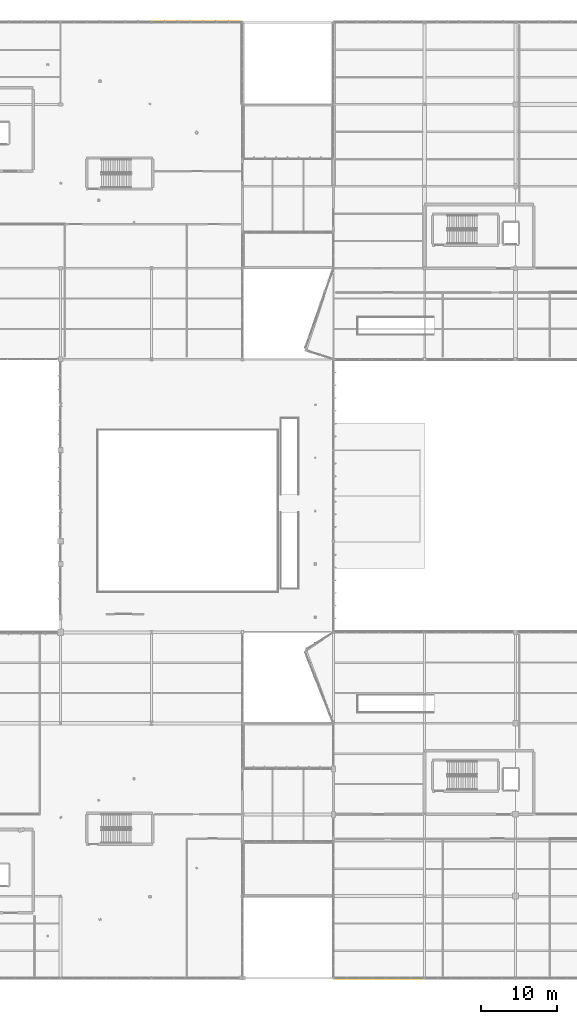
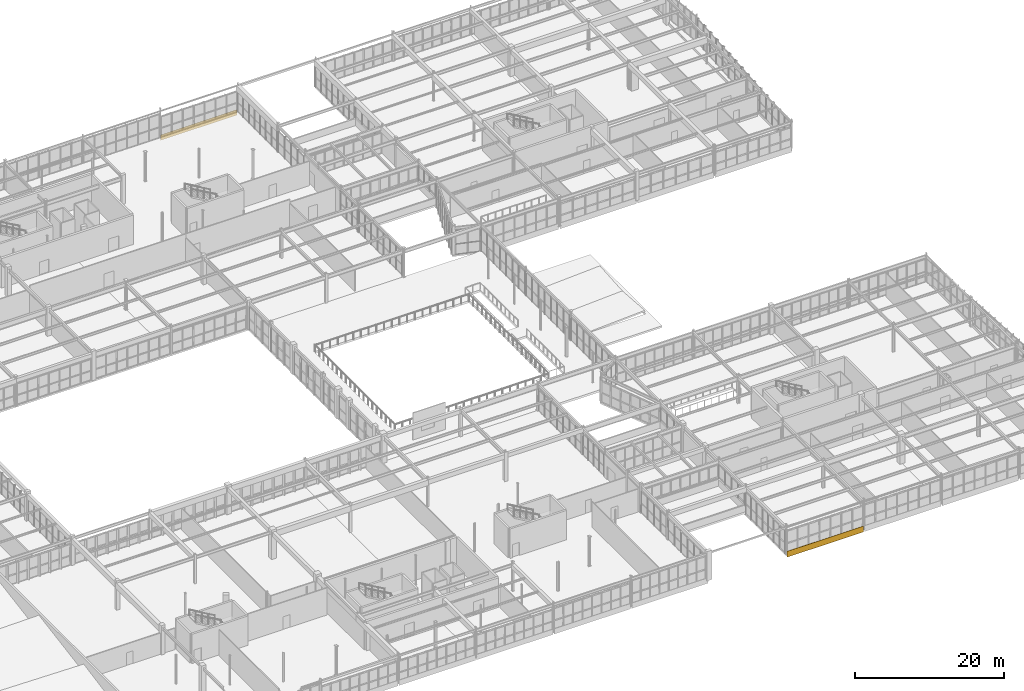
# One storey, part 215 of 226: 2 coverings.
"""IFC4 building model written with IfcOpenShell, lengths in metres."""

from ifc_helpers import new_model, si_unit, direction, frame, origin, origin_2d, place, context, subcontext, project, spatial, rectangle, extrude, material, layer, layer_set, type_object, element, save


model = new_model("IFC4")

# Units and contexts
model_context = context("Model", 3, precision=1e-05, world=origin(), true_north=direction((0.0, 1.0)))
body_context = subcontext(model_context, "Body", "Model", "MODEL_VIEW")
ifc_project = project(units=[si_unit("LENGTHUNIT", "METRE"), si_unit("AREAUNIT", "SQUARE_METRE"), si_unit("VOLUMEUNIT", "CUBIC_METRE"), si_unit("PLANEANGLEUNIT", "RADIAN"), si_unit("MASSUNIT", "GRAM", prefix="KILO")], contexts=[model_context])

# Site, building, storey
site_placement = place(None, origin())
site = spatial("IfcSite", under=ifc_project, at=site_placement, CompositionType="ELEMENT")
building_placement = place(site_placement, origin())
building = spatial("IfcBuilding", under=site, at=building_placement, Name="Tarnwether General Hospital", CompositionType="ELEMENT")
storey_placement = place(building_placement, frame((0.0, 0.0, 4.800048828125)))
storey = spatial("IfcBuildingStorey", under=building, at=storey_placement, Name="L01", CompositionType="ELEMENT", Elevation=4.800048828125)

# Coverings
ifc_material = material(Name="Folded zinc-titanium cladding")
ifc_layer = layer(ifc_material, 0.0400390625)
ifc_layer_set = layer_set([ifc_layer], Name="Folded zinc-titanium cladding")
covering_type = type_object("IfcCoveringType", Name="CV-CLD-ZNC", PredefinedType="CLADDING", material=ifc_layer_set)
covering_1_placement = place(storey_placement, frame((150.0, -0.090087890625, -0.55517578125), z_axis=(0.0, 0.0, 1.0), x_axis=(1.0, 0.0, 0.0)))
element("IfcCovering", 1, at=covering_1_placement, inside=storey, type_object=covering_type, Name="Deconstructivist Faceted Zinc Spandrel Blade 001", PredefinedType="CLADDING", context=body_context, shape_type="SweptSolid", body=[
    extrude(rectangle(XDim=11.800048828125, YDim=0.0400390625, at=origin_2d()), origin(), (0.0, 0.0, 1.0), 0.949951171875),
])
covering_2_placement = place(storey_placement, frame((126.0, 126.090087890625, -0.52001953125), z_axis=(0.0, 0.0, 1.0), x_axis=(1.0, 0.0, 0.0)))
element("IfcCovering", 2, at=covering_2_placement, inside=storey, type_object=covering_type, Name="Diagnostic Base Faceted Zinc Spandrel 075", PredefinedType="CLADDING", context=body_context, shape_type="SweptSolid", body=[
    extrude(rectangle(XDim=11.800048828125, YDim=0.0400390625, at=origin_2d()), origin(), (0.0, 0.0, 1.0), 0.8798828125),
])

save(model, "model.ifc")
